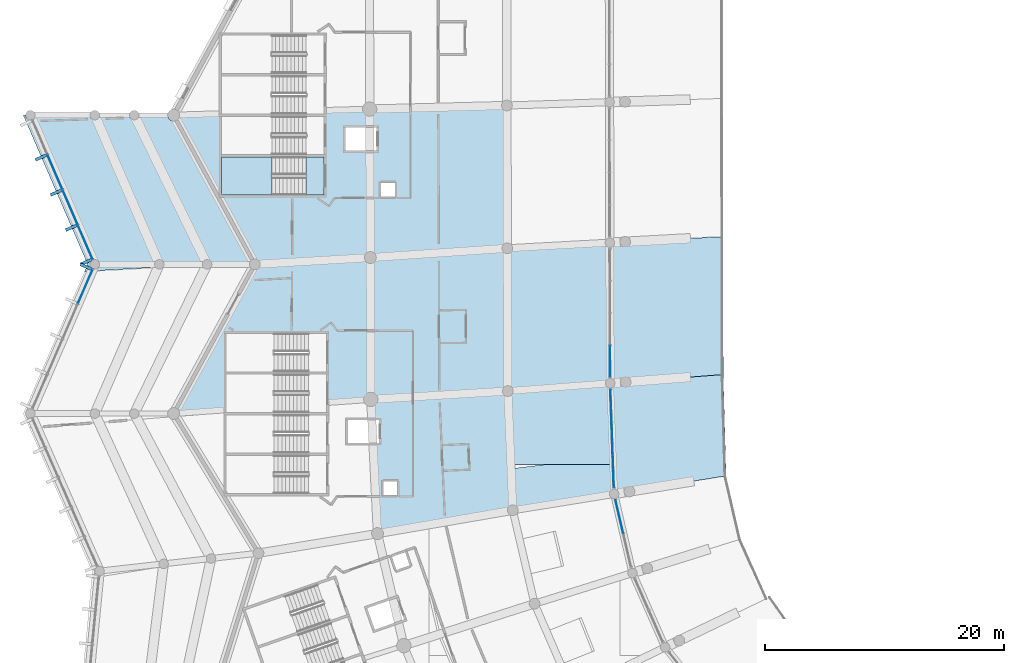
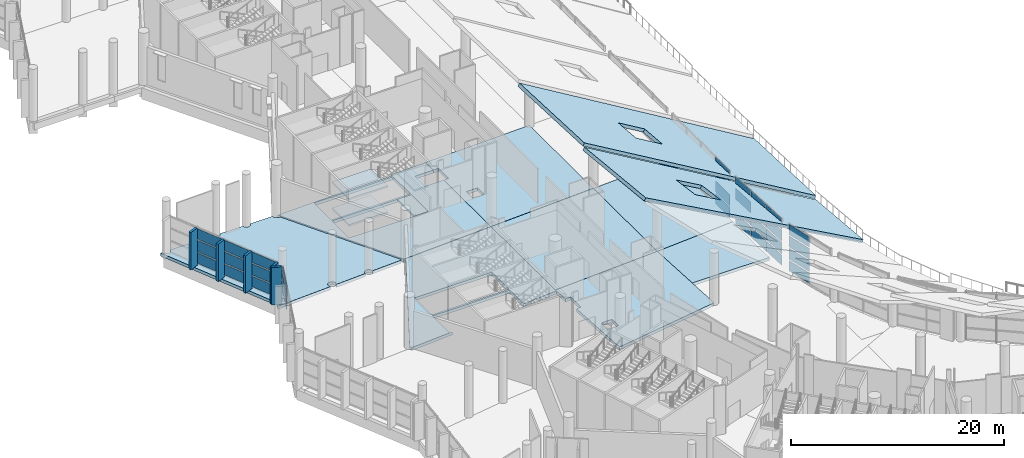
# One storey, part 104 of 249: 36 plates, 14 slabs, 6 elements without a shape of their own.
"""IFC4 building model written with IfcOpenShell, lengths in metres."""

import ifcopenshell
import ifcopenshell.guid

model = None  # the IFC model being written
_history = None  # IfcOwnerHistory: only IFC2X3 demands one
_inside = {}  # id of a spatial element -> (the spatial element, [elements in it])
_under = {}  # id of a project, library or spatial element -> (it, [spatial elements below it])
_declared = {}  # id of a project -> (the project, [libraries it declares])
_typed = {}  # id of a type object -> (the type object, [elements of that type])
_made_of = {}  # id of a material, layer set ... -> (it, [elements and type objects made of it])


def new_model(schema):
    """Start an empty IFC model of exactly this schema.

    Asked for "IFC4X3", IfcOpenShell would pick the latest addendum, in which some entities
    have other attributes; the version numbers below select the first issue.
    IFC2X3 requires an IfcOwnerHistory on every rooted entity: one is made here for all.
    """
    global model, _history
    if schema == "IFC4X3":
        model = ifcopenshell.file(schema_version=(4, 3, 0, 0))
    else:
        model = ifcopenshell.file(schema=schema)
    _inside.clear()
    _under.clear()
    _declared.clear()
    _typed.clear()
    _made_of.clear()
    _history = None
    if model.schema == "IFC2X3":
        org = make("IfcOrganization", Name="unknown")
        user = make(
            "IfcPersonAndOrganization",
            ThePerson=make("IfcPerson", FamilyName="unknown"),
            TheOrganization=org,
        )
        app = make(
            "IfcApplication",
            ApplicationDeveloper=org,
            Version="unknown",
            ApplicationFullName="unknown",
            ApplicationIdentifier="unknown",
        )
        _history = make(
            "IfcOwnerHistory",
            OwningUser=user,
            OwningApplication=app,
            ChangeAction="ADDED",
            CreationDate=0,
        )
    return model


def make(cls, **values):
    """One entity of the class cls with the attributes given. An attribute that is None is left unset."""
    return model.create_entity(
        cls, **{name: value for name, value in values.items() if value is not None}
    )


def rooted(cls, **values):
    """An entity with a GlobalId (a new one), such as an element, a storey or a relation."""
    return make(cls, GlobalId=ifcopenshell.guid.new(), OwnerHistory=_history, **values)


def si_unit(unit_type, name, prefix=None):
    """IfcSIUnit, for example si_unit("LENGTHUNIT", "METRE", prefix="MILLI")."""
    return make("IfcSIUnit", UnitType=unit_type, Prefix=prefix, Name=name)


def assignment(units):
    """IfcUnitAssignment: the units of a project."""
    return None if units is None else make("IfcUnitAssignment", Units=units)


def point(xyz):
    """IfcCartesianPoint."""
    return None if xyz is None else make("IfcCartesianPoint", Coordinates=xyz)


def direction(xyz):
    """IfcDirection."""
    return None if xyz is None else make("IfcDirection", DirectionRatios=xyz)


def frame(location, z_axis=None, x_axis=None):
    """IfcAxis2Placement3D, a coordinate frame: its origin and axes. An axis left out is left unset."""
    return make(
        "IfcAxis2Placement3D",
        Location=point(location),
        Axis=direction(z_axis),
        RefDirection=direction(x_axis),
    )


def frame_2d(location, x_axis=None):
    """IfcAxis2Placement2D, a coordinate frame in the plane: its origin and x axis."""
    return make(
        "IfcAxis2Placement2D", Location=point(location), RefDirection=direction(x_axis)
    )


def origin():
    """The frame at (0, 0, 0) with its axes left unset."""
    return frame((0.0, 0.0, 0.0))


def origin_2d():
    """The frame at (0, 0) in the plane with its x axis left unset."""
    return frame_2d((0.0, 0.0))


def place(relative_to, where):
    """IfcLocalPlacement: puts the frame where relative to a parent placement (None: the world)."""
    return make(
        "IfcLocalPlacement", PlacementRelTo=relative_to, RelativePlacement=where
    )


def context(
    kind, dimensions, precision=None, world=None, true_north=None, identifier=None
):
    """IfcGeometricRepresentationContext, for example the 3D "Model" context."""
    return make(
        "IfcGeometricRepresentationContext",
        ContextIdentifier=identifier,
        ContextType=kind,
        CoordinateSpaceDimension=dimensions,
        Precision=precision,
        WorldCoordinateSystem=world,
        TrueNorth=true_north,
    )


def subcontext(parent, identifier, kind, view, scale=None):
    """IfcGeometricRepresentationSubContext, for example "Body" below "Model"."""
    return make(
        "IfcGeometricRepresentationSubContext",
        ContextIdentifier=identifier,
        ContextType=kind,
        ParentContext=parent,
        TargetScale=scale,
        TargetView=view,
    )


def project(units=None, contexts=None):
    """IfcProject with its units and contexts."""
    return rooted(
        "IfcProject",
        Name="project",
        RepresentationContexts=contexts,
        UnitsInContext=assignment(units),
    )


def spatial(cls, under=None, at=None, **own):
    """A site, building, storey or space (cls), placed at a placement, below another one or the project."""
    s = rooted(cls, ObjectPlacement=at, **own)
    if under is not None:
        _under.setdefault(under.id(), (under, []))[1].append(s)
    return s


def polyline(points):
    """IfcPolyline through the points."""
    return make("IfcPolyline", Points=[point(p) for p in points])


def profile(cls, at=None, kind="AREA", **sizes):
    """A parametric profile (cls). Its sizes go by their IFC names, for example OverallWidth=200.0."""
    return make(cls, ProfileType=kind, Position=at, **sizes)


def rectangle(**sizes):
    """IfcRectangleProfileDef."""
    return profile("IfcRectangleProfileDef", **sizes)


def outline(outer, holes=None, kind="AREA"):
    """IfcArbitraryClosedProfileDef: a profile drawn as a closed curve; with holes, ...WithVoids."""
    if holes is None:
        return make("IfcArbitraryClosedProfileDef", ProfileType=kind, OuterCurve=outer)
    return make(
        "IfcArbitraryProfileDefWithVoids",
        ProfileType=kind,
        OuterCurve=outer,
        InnerCurves=holes,
    )


def extrude(swept, where, along, depth):
    """IfcExtrudedAreaSolid: the profile swept, set in the frame where, extruded along a direction by depth."""
    return make(
        "IfcExtrudedAreaSolid",
        SweptArea=swept,
        Position=where,
        ExtrudedDirection=direction(along),
        Depth=depth,
    )


def shape(context_of_items, identifier, shape_type, items):
    """IfcShapeRepresentation: the items that make up one representation, for example the "Body"."""
    return make(
        "IfcShapeRepresentation",
        ContextOfItems=context_of_items,
        RepresentationIdentifier=identifier,
        RepresentationType=shape_type,
        Items=items,
    )


def material(Name=None, Category=None):
    """IfcMaterial."""
    return make("IfcMaterial", Name=Name, Category=Category)


def layer(
    of_material, thickness, ventilated=None, Name=None, Category=None, Priority=None
):
    """IfcMaterialLayer: one layer of a wall or slab, of a material (None: an air gap)."""
    return make(
        "IfcMaterialLayer",
        Material=of_material,
        LayerThickness=thickness,
        IsVentilated=ventilated,
        Name=Name,
        Category=Category,
        Priority=Priority,
    )


def layer_set(layers, Name=None):
    """IfcMaterialLayerSet."""
    return make("IfcMaterialLayerSet", MaterialLayers=layers, LayerSetName=Name)


def made_of(thing, what):
    """Note that an element or type object is made of a material, layer set ...; save() writes the relation."""
    if what is not None:
        _made_of.setdefault(what.id(), (what, []))[1].append(thing)
    return thing


def type_object(cls, material=None, **own):
    """A type object (cls), such as IfcWallType, which elements share."""
    return made_of(rooted(cls, **own), material)


def element(
    cls,
    number,
    at=None,
    inside=None,
    cuts=None,
    type_object=None,
    material=None,
    context=None,
    identifier="Body",
    shape_type=None,
    held_by="IfcProductDefinitionShape",
    body=None,
    shapes=None,
    **own,
):
    """One element of the class cls, such as IfcWall. Its Tag is "e" and its number.

    at: its placement. inside: the storey or other place that contains it. cuts: it is an
    opening in that element (IfcRelVoidsElement). A single representation is given by context,
    identifier, shape_type and body (its items); several are given by shapes. held_by: the class
    of the entity that holds the representations. save() writes the other relations.
    """
    e = rooted(cls, Tag="e%d" % number, ObjectPlacement=at, **own)
    if body is not None:
        shapes = [shape(context, identifier, shape_type, body)]
    if shapes is not None:
        e.Representation = make(held_by, Representations=shapes)
    if inside is not None:
        _inside.setdefault(inside.id(), (inside, []))[1].append(e)
    if cuts is not None:
        rooted(
            "IfcRelVoidsElement", RelatingBuildingElement=cuts, RelatedOpeningElement=e
        )
    if type_object is not None:
        _typed.setdefault(type_object.id(), (type_object, []))[1].append(e)
    return made_of(e, material)


def aggregate(whole, parts):
    """IfcRelAggregates: a whole, such as a stair, and the parts it consists of."""
    return rooted("IfcRelAggregates", RelatingObject=whole, RelatedObjects=parts)


def save(model, path):
    """Write the relations noted so far, then the file.

    IfcRelAggregates (storeys below a building ...), IfcRelContainedInSpatialStructure (elements
    in a storey), IfcRelDefinesByType, IfcRelAssociatesMaterial and IfcRelDeclares: one each for
    every whole, place, type object, material and project.
    """
    for whole, parts in _under.values():
        aggregate(whole, parts)
    for where, things in _inside.values():
        rooted(
            "IfcRelContainedInSpatialStructure",
            RelatedElements=things,
            RelatingStructure=where,
        )
    for kind, things in _typed.values():
        rooted("IfcRelDefinesByType", RelatedObjects=things, RelatingType=kind)
    for what, things in _made_of.values():
        rooted("IfcRelAssociatesMaterial", RelatedObjects=things, RelatingMaterial=what)
    for by, libraries in _declared.values():
        rooted("IfcRelDeclares", RelatingContext=by, RelatedDefinitions=libraries)
    model.write(path)


model = new_model("IFC4")

# Units and contexts
model_context = context("Model", 3, precision=1e-05, world=origin(), true_north=direction((0.0, 1.0)))
body_context = subcontext(model_context, "Body", "Model", "MODEL_VIEW")
ifc_project = project(units=[si_unit("LENGTHUNIT", "METRE"), si_unit("AREAUNIT", "SQUARE_METRE"), si_unit("VOLUMEUNIT", "CUBIC_METRE"), si_unit("PLANEANGLEUNIT", "RADIAN"), si_unit("MASSUNIT", "GRAM", prefix="KILO")], contexts=[model_context])

# Site, building, storey
site_placement = place(None, origin())
site = spatial("IfcSite", under=ifc_project, at=site_placement, CompositionType="ELEMENT")
building_placement = place(site_placement, origin())
building = spatial("IfcBuilding", under=site, at=building_placement, Name="Meseta Stadium", CompositionType="ELEMENT")
storey_placement = place(building_placement, frame((0.0, 0.0, 12.0)))
storey = spatial("IfcBuildingStorey", under=building, at=storey_placement, Name="L02", CompositionType="ELEMENT", Elevation=12.0)

# Curtain wall, plates
ifc_material_1 = material(Name="Aluminium", Category="aluminium")
ifc_layer_1 = layer(ifc_material_1, 0.199951171875)
ifc_layer_set_1 = layer_set([ifc_layer_1], Name="Suite glazing curtain wall")
curtain_wall_type_1 = type_object("IfcCurtainWallType", Name="Suite glazing curtain wall", PredefinedType="NOTDEFINED", material=ifc_layer_set_1)
curtain_wall_1_placement = place(storey_placement, origin())
curtain_wall_1 = element("IfcCurtainWall", 1, at=curtain_wall_1_placement, inside=storey, type_object=curtain_wall_type_1, Name="Suite glazing bay 35", PredefinedType="NOTDEFINED")
ifc_material_2 = material(Name="Glass", Category="glass")
ifc_layer_2 = layer(ifc_material_2, 0.035888671875)
ifc_layer_set_2 = layer_set([ifc_layer_2], Name="CW glass panel 36")
plate_type_1 = type_object("IfcPlateType", Name="CW glass panel 36", PredefinedType="CURTAIN_PANEL", material=ifc_layer_set_2)
plate_1_placement = place(storey_placement, frame((-64.835205078125, -39.357421875, 0.14990234375), z_axis=(0.0, 0.0, 1.0), x_axis=(0.002910007458, -0.999995765919, 0.0)))
plate_1 = element("IfcPlate", 2, at=plate_1_placement, type_object=plate_type_1, Name="CWS panel 4.1", PredefinedType="CURTAIN_PANEL", context=body_context, shape_type="SweptSolid", body=[
    extrude(rectangle(XDim=2.61279296875, YDim=0.035888671875, at=origin_2d()), origin(), (0.0, 0.0, 1.0), 1.1875),
])
plate_2_placement = place(storey_placement, frame((-64.835205078125, -39.357421875, 1.4873046875), z_axis=(0.0, 0.0, 1.0), x_axis=(0.002910007458, -0.999995765919, 0.0)))
plate_2 = element("IfcPlate", 3, at=plate_2_placement, type_object=plate_type_1, Name="CWS panel 4.2", PredefinedType="CURTAIN_PANEL", context=body_context, shape_type="SweptSolid", body=[
    extrude(rectangle(XDim=2.61279296875, YDim=0.035888671875, at=origin_2d()), origin(), (0.0, 0.0, 1.0), 1.262451171875),
])
plate_3_placement = place(storey_placement, frame((-64.835205078125, -39.357421875, 2.89990234375), z_axis=(0.0, 0.0, 1.0), x_axis=(0.002910007458, -0.999995765919, 0.0)))
plate_3 = element("IfcPlate", 4, at=plate_3_placement, type_object=plate_type_1, Name="CWS panel 4.3", PredefinedType="CURTAIN_PANEL", context=body_context, shape_type="SweptSolid", body=[
    extrude(rectangle(XDim=2.61279296875, YDim=0.035888671875, at=origin_2d()), origin(), (0.0, 0.0, 1.0), 1.262451171875),
])
plate_4_placement = place(storey_placement, frame((-64.835205078125, -39.357421875, 4.3125), z_axis=(0.0, 0.0, 1.0), x_axis=(0.002910007458, -0.999995765919, 0.0)))
plate_4 = element("IfcPlate", 5, at=plate_4_placement, type_object=plate_type_1, Name="CWS panel 4.4", PredefinedType="CURTAIN_PANEL", context=body_context, shape_type="SweptSolid", body=[
    extrude(rectangle(XDim=2.61279296875, YDim=0.035888671875, at=origin_2d()), origin(), (0.0, 0.0, 1.0), 1.1875),
])
aggregate(curtain_wall_1, [plate_1, plate_2, plate_3, plate_4])

curtain_wall_2_placement = place(storey_placement, origin())
curtain_wall_2 = element("IfcCurtainWall", 6, at=curtain_wall_2_placement, inside=storey, type_object=curtain_wall_type_1, Name="Suite glazing bay 36", PredefinedType="NOTDEFINED")
plate_5_placement = place(storey_placement, frame((-64.763427734375, -43.083740234375, 0.14990234375), z_axis=(0.0, 0.0, 1.0), x_axis=(0.035370706156, -0.999374260798, 0.0)))
plate_5 = element("IfcPlate", 7, at=plate_5_placement, type_object=plate_type_1, Name="CWS panel 1.1", PredefinedType="CURTAIN_PANEL", context=body_context, shape_type="SweptSolid", body=[
    extrude(rectangle(XDim=2.68310546875, YDim=0.035888671875, at=origin_2d()), origin(), (0.0, 0.0, 1.0), 1.1875),
])
plate_6_placement = place(storey_placement, frame((-64.763427734375, -43.083740234375, 1.4873046875), z_axis=(0.0, 0.0, 1.0), x_axis=(0.035370706156, -0.999374260798, 0.0)))
plate_6 = element("IfcPlate", 8, at=plate_6_placement, type_object=plate_type_1, Name="CWS panel 1.2", PredefinedType="CURTAIN_PANEL", context=body_context, shape_type="SweptSolid", body=[
    extrude(rectangle(XDim=2.68310546875, YDim=0.035888671875, at=origin_2d()), origin(), (0.0, 0.0, 1.0), 1.262451171875),
])
plate_7_placement = place(storey_placement, frame((-64.763427734375, -43.083740234375, 2.89990234375), z_axis=(0.0, 0.0, 1.0), x_axis=(0.035370706156, -0.999374260798, 0.0)))
plate_7 = element("IfcPlate", 9, at=plate_7_placement, type_object=plate_type_1, Name="CWS panel 1.3", PredefinedType="CURTAIN_PANEL", context=body_context, shape_type="SweptSolid", body=[
    extrude(rectangle(XDim=2.68310546875, YDim=0.035888671875, at=origin_2d()), origin(), (0.0, 0.0, 1.0), 1.262451171875),
])
plate_8_placement = place(storey_placement, frame((-64.763427734375, -43.083740234375, 4.3125), z_axis=(0.0, 0.0, 1.0), x_axis=(0.035370706156, -0.999374260798, 0.0)))
plate_8 = element("IfcPlate", 10, at=plate_8_placement, type_object=plate_type_1, Name="CWS panel 1.4", PredefinedType="CURTAIN_PANEL", context=body_context, shape_type="SweptSolid", body=[
    extrude(rectangle(XDim=2.68310546875, YDim=0.035888671875, at=origin_2d()), origin(), (0.0, 0.0, 1.0), 1.1875),
])
plate_9_placement = place(storey_placement, frame((-64.665771484375, -45.840087890625, 0.14990234375), z_axis=(0.0, 0.0, 1.0), x_axis=(0.035370706156, -0.999374260798, 0.0)))
plate_9 = element("IfcPlate", 11, at=plate_9_placement, type_object=plate_type_1, Name="CWS panel 2.1", PredefinedType="CURTAIN_PANEL", context=body_context, shape_type="SweptSolid", body=[
    extrude(rectangle(XDim=2.713134765625, YDim=0.035888671875, at=origin_2d()), origin(), (0.0, 0.0, 1.0), 1.1875),
])
plate_10_placement = place(storey_placement, frame((-64.665771484375, -45.840087890625, 1.4873046875), z_axis=(0.0, 0.0, 1.0), x_axis=(0.035370706156, -0.999374260798, 0.0)))
plate_10 = element("IfcPlate", 12, at=plate_10_placement, type_object=plate_type_1, Name="CWS panel 2.2", PredefinedType="CURTAIN_PANEL", context=body_context, shape_type="SweptSolid", body=[
    extrude(rectangle(XDim=2.713134765625, YDim=0.035888671875, at=origin_2d()), origin(), (0.0, 0.0, 1.0), 1.262451171875),
])
plate_11_placement = place(storey_placement, frame((-64.665771484375, -45.840087890625, 2.89990234375), z_axis=(0.0, 0.0, 1.0), x_axis=(0.035370706156, -0.999374260798, 0.0)))
plate_11 = element("IfcPlate", 13, at=plate_11_placement, type_object=plate_type_1, Name="CWS panel 2.3", PredefinedType="CURTAIN_PANEL", context=body_context, shape_type="SweptSolid", body=[
    extrude(rectangle(XDim=2.713134765625, YDim=0.035888671875, at=origin_2d()), origin(), (0.0, 0.0, 1.0), 1.262451171875),
])
plate_12_placement = place(storey_placement, frame((-64.665771484375, -45.840087890625, 4.3125), z_axis=(0.0, 0.0, 1.0), x_axis=(0.035370706156, -0.999374260798, 0.0)))
plate_12 = element("IfcPlate", 14, at=plate_12_placement, type_object=plate_type_1, Name="CWS panel 2.4", PredefinedType="CURTAIN_PANEL", context=body_context, shape_type="SweptSolid", body=[
    extrude(rectangle(XDim=2.713134765625, YDim=0.035888671875, at=origin_2d()), origin(), (0.0, 0.0, 1.0), 1.1875),
])
plate_13_placement = place(storey_placement, frame((-64.568359375, -48.5966796875, 0.14990234375), z_axis=(0.0, 0.0, 1.0), x_axis=(0.035370706156, -0.999374260798, 0.0)))
plate_13 = element("IfcPlate", 15, at=plate_13_placement, type_object=plate_type_1, Name="CWS panel 3.1", PredefinedType="CURTAIN_PANEL", context=body_context, shape_type="SweptSolid", body=[
    extrude(rectangle(XDim=2.68310546875, YDim=0.035888671875, at=origin_2d()), origin(), (0.0, 0.0, 1.0), 1.1875),
])
plate_14_placement = place(storey_placement, frame((-64.568359375, -48.5966796875, 1.4873046875), z_axis=(0.0, 0.0, 1.0), x_axis=(0.035370706156, -0.999374260798, 0.0)))
plate_14 = element("IfcPlate", 16, at=plate_14_placement, type_object=plate_type_1, Name="CWS panel 3.2", PredefinedType="CURTAIN_PANEL", context=body_context, shape_type="SweptSolid", body=[
    extrude(rectangle(XDim=2.68310546875, YDim=0.035888671875, at=origin_2d()), origin(), (0.0, 0.0, 1.0), 1.262451171875),
])
plate_15_placement = place(storey_placement, frame((-64.568359375, -48.5966796875, 2.89990234375), z_axis=(0.0, 0.0, 1.0), x_axis=(0.035370706156, -0.999374260798, 0.0)))
plate_15 = element("IfcPlate", 17, at=plate_15_placement, type_object=plate_type_1, Name="CWS panel 3.3", PredefinedType="CURTAIN_PANEL", context=body_context, shape_type="SweptSolid", body=[
    extrude(rectangle(XDim=2.68310546875, YDim=0.035888671875, at=origin_2d()), origin(), (0.0, 0.0, 1.0), 1.262451171875),
])
plate_16_placement = place(storey_placement, frame((-64.568359375, -48.5966796875, 4.3125), z_axis=(0.0, 0.0, 1.0), x_axis=(0.035370706156, -0.999374260798, 0.0)))
plate_16 = element("IfcPlate", 18, at=plate_16_placement, type_object=plate_type_1, Name="CWS panel 3.4", PredefinedType="CURTAIN_PANEL", context=body_context, shape_type="SweptSolid", body=[
    extrude(rectangle(XDim=2.68310546875, YDim=0.035888671875, at=origin_2d()), origin(), (0.0, 0.0, 1.0), 1.1875),
])
aggregate(curtain_wall_2, [plate_5, plate_6, plate_7, plate_8, plate_9, plate_10, plate_11, plate_12, plate_13, plate_14, plate_15, plate_16])

curtain_wall_3_placement = place(storey_placement, origin())
curtain_wall_3 = element("IfcCurtainWall", 19, at=curtain_wall_3_placement, inside=storey, type_object=curtain_wall_type_1, Name="Suite glazing bay 37", PredefinedType="NOTDEFINED")
plate_17_placement = place(storey_placement, frame((-64.0595703125, -52.38427734375, 0.14990234375), z_axis=(0.0, 0.0, 1.0), x_axis=(0.226148413492, -0.974092857522, 0.0)))
plate_17 = element("IfcPlate", 20, at=plate_17_placement, type_object=plate_type_1, Name="CWS panel 1.1", PredefinedType="CURTAIN_PANEL", context=body_context, shape_type="SweptSolid", body=[
    extrude(rectangle(XDim=2.830322265625, YDim=0.035888671875, at=origin_2d()), origin(), (0.0, 0.0, 1.0), 1.1875),
])
plate_18_placement = place(storey_placement, frame((-64.0595703125, -52.38427734375, 1.4873046875), z_axis=(0.0, 0.0, 1.0), x_axis=(0.226148413492, -0.974092857522, 0.0)))
plate_18 = element("IfcPlate", 21, at=plate_18_placement, type_object=plate_type_1, Name="CWS panel 1.2", PredefinedType="CURTAIN_PANEL", context=body_context, shape_type="SweptSolid", body=[
    extrude(rectangle(XDim=2.830322265625, YDim=0.035888671875, at=origin_2d()), origin(), (0.0, 0.0, 1.0), 1.262451171875),
])
plate_19_placement = place(storey_placement, frame((-64.0595703125, -52.38427734375, 2.89990234375), z_axis=(0.0, 0.0, 1.0), x_axis=(0.226148413492, -0.974092857522, 0.0)))
plate_19 = element("IfcPlate", 22, at=plate_19_placement, type_object=plate_type_1, Name="CWS panel 1.3", PredefinedType="CURTAIN_PANEL", context=body_context, shape_type="SweptSolid", body=[
    extrude(rectangle(XDim=2.830322265625, YDim=0.035888671875, at=origin_2d()), origin(), (0.0, 0.0, 1.0), 1.262451171875),
])
plate_20_placement = place(storey_placement, frame((-64.0595703125, -52.38427734375, 4.3125), z_axis=(0.0, 0.0, 1.0), x_axis=(0.226148413492, -0.974092857522, 0.0)))
plate_20 = element("IfcPlate", 23, at=plate_20_placement, type_object=plate_type_1, Name="CWS panel 1.4", PredefinedType="CURTAIN_PANEL", context=body_context, shape_type="SweptSolid", body=[
    extrude(rectangle(XDim=2.830322265625, YDim=0.035888671875, at=origin_2d()), origin(), (0.0, 0.0, 1.0), 1.1875),
])
aggregate(curtain_wall_3, [plate_17, plate_18, plate_19, plate_20])

# Slabs
ifc_material_3 = material(Name="Concrete C40/50", Category="concrete")
ifc_layer_3 = layer(ifc_material_3, 0.35009765625)
ifc_layer_set_3 = layer_set([ifc_layer_3], Name="Floor slab 350")
slab_type_1 = type_object("IfcSlabType", Name="Floor slab 350", PredefinedType="FLOOR", material=ifc_layer_set_3)
slab_1_placement = place(storey_placement, frame((0.0, 0.0, -0.35009765625)))
element("IfcSlab", 24, at=slab_1_placement, inside=storey, type_object=slab_type_1, Name="Floor slab L02 sector 28 panel 02", PredefinedType="FLOOR", context=body_context, shape_type="SweptSolid", body=[
    extrude(outline(polyline([(-101.340087890625, -18.85986328125), (-94.70361328125, -31.059326171875), (-84.926025390625, -30.523193359375), (-84.9638671875, -21.699951171875), (-87.0, -21.699951171875), (-87.0, -19.800048828125), (-84.971923828125, -19.800048828125), (-84.978271484375, -18.32177734375), (-88.800048828125, -18.447509765625), (-88.800048828125, -18.64990234375), (-94.9599609375, -18.64990234375), (-101.340087890625, -18.85986328125)]), holes=[polyline([(-97.39990234375, -22.25), (-88.800048828125, -22.25), (-88.800048828125, -25.449951171875), (-97.39990234375, -25.449951171875), (-97.39990234375, -22.25)]), polyline([(-97.39990234375, -18.85009765625), (-88.800048828125, -18.85009765625), (-88.800048828125, -22.050048828125), (-97.39990234375, -22.050048828125), (-97.39990234375, -18.85009765625)])]), origin(), (0.0, 0.0, 1.0), 0.35009765625),
])
slab_2_placement = place(storey_placement, frame((0.0, 0.0, -0.35009765625)))
element("IfcSlab", 25, at=slab_2_placement, inside=storey, type_object=slab_type_1, Name="Floor slab L02 sector 28 panel 13", PredefinedType="FLOOR", context=body_context, shape_type="SweptSolid", body=[
    extrude(outline(polyline([(-84.9638671875, -21.699951171875), (-84.926025390625, -30.523193359375), (-73.451416015625, -29.89404296875), (-73.482421875, -17.943603515625), (-84.978271484375, -18.32177734375), (-84.971923828125, -19.800048828125), (-84.39990234375, -19.800048828125), (-84.39990234375, -21.699951171875), (-84.9638671875, -21.699951171875)]), holes=[polyline([(-82.85009765625, -24.39990234375), (-82.85009765625, -25.60009765625), (-84.050048828125, -25.60009765625), (-84.050048828125, -24.39990234375), (-82.85009765625, -24.39990234375)])]), origin(), (0.0, 0.0, 1.0), 0.35009765625),
])
slab_3_placement = place(storey_placement, frame((0.0, 0.0, -0.35009765625)))
element("IfcSlab", 26, at=slab_3_placement, inside=storey, type_object=slab_type_1, Name="Floor slab L02 sector 35 panel 01", PredefinedType="FLOOR", context=body_context, shape_type="SweptSolid", body=[
    extrude(outline(polyline([(-94.60009765625, -31.25), (-101.39990234375, -43.75), (-101.24853515625, -43.999267578125), (-96.697021484375, -43.64990234375), (-97.0, -43.64990234375), (-97.0, -40.449951171875), (-88.60009765625, -40.449951171875), (-88.60009765625, -43.028564453125), (-84.875, -42.74267578125), (-84.884033203125, -42.5615234375), (-84.92578125, -30.543212890625), (-94.693115234375, -31.07861328125), (-94.60009765625, -31.25)]), holes=[polyline([(-97.0, -40.25), (-97.0, -37.050048828125), (-88.60009765625, -37.050048828125), (-88.60009765625, -40.25), (-97.0, -40.25)])]), origin(), (0.0, 0.0, 1.0), 0.35009765625),
])
slab_4_placement = place(storey_placement, frame((0.0, 0.0, -0.35009765625)))
element("IfcSlab", 27, at=slab_4_placement, inside=storey, type_object=slab_type_1, Name="Floor slab L02 sector 35 panel 06", PredefinedType="FLOOR", context=body_context, shape_type="SweptSolid", body=[
    extrude(outline(polyline([(-73.40478515625, -41.8623046875), (-73.451416015625, -29.914306640625), (-84.92578125, -30.543212890625), (-84.884033203125, -42.5615234375), (-73.40478515625, -41.8623046875)])), origin(), (0.0, 0.0, 1.0), 0.35009765625),
])
slab_5_placement = place(storey_placement, frame((0.0, 0.0, -0.35009765625)))
element("IfcSlab", 28, at=slab_5_placement, inside=storey, type_object=slab_type_1, Name="Floor slab L02 sector 35 panel 07", PredefinedType="FLOOR", context=body_context, shape_type="SweptSolid", body=[
    extrude(outline(polyline([(-72.9921875, -51.84716796875), (-73.40478515625, -41.8623046875), (-84.884033203125, -42.5615234375), (-84.797607421875, -44.300048828125), (-84.199951171875, -44.300048828125), (-84.199951171875, -46.199951171875), (-84.703125, -46.199951171875), (-84.33154296875, -53.67333984375), (-72.9921875, -51.84716796875)]), holes=[polyline([(-82.64990234375, -50.60009765625), (-83.85009765625, -50.60009765625), (-83.85009765625, -49.39990234375), (-82.64990234375, -49.39990234375), (-82.64990234375, -50.60009765625)])]), origin(), (0.0, 0.0, 1.0), 0.35009765625),
])
slab_6_placement = place(storey_placement, frame((0.0, 0.0, -0.35009765625)))
element("IfcSlab", 29, at=slab_6_placement, inside=storey, type_object=slab_type_1, Name="Floor slab L02 sector 35 panel 12", PredefinedType="FLOOR", context=body_context, shape_type="SweptSolid", body=[
    extrude(outline(polyline([(-73.451416015625, -29.914306640625), (-73.40478515625, -41.8623046875), (-64.829833984375, -41.2041015625), (-64.857666015625, -32.0), (-64.8642578125, -29.443359375), (-73.451416015625, -29.914306640625)])), origin(), (0.0, 0.0, 1.0), 0.35009765625),
])
slab_7_placement = place(storey_placement, frame((0.0, 0.0, -0.35009765625)))
element("IfcSlab", 30, at=slab_7_placement, inside=storey, type_object=slab_type_1, Name="Floor slab L02 sector 35 panel 13", PredefinedType="FLOOR", context=body_context, shape_type="SweptSolid", body=[
    extrude(outline(polyline([(-64.80859375, -47.08837890625), (-64.829833984375, -41.2041015625), (-73.40478515625, -41.8623046875), (-73.151123046875, -48.0), (-64.754150390625, -48.0), (-64.80859375, -47.08837890625)])), origin(), (0.0, 0.0, 1.0), 0.35009765625),
])
slab_8_placement = place(storey_placement, frame((0.0, 0.0, -0.35009765625)))
element("IfcSlab", 31, at=slab_8_placement, inside=storey, type_object=slab_type_1, Name="Ring floor slab L02 5 part 1", PredefinedType="FLOOR", context=body_context, shape_type="SweptSolid", body=[
    extrude(outline(polyline([(-101.88720703125, -18.880615234375), (-101.898681640625, -18.79150390625), (-104.302001953125, -18.79150390625), (-104.310302734375, -18.8544921875), (-104.3505859375, -18.95166015625), (-104.414794921875, -19.035400390625), (-104.498291015625, -19.099365234375), (-104.595703125, -19.1396484375), (-104.699951171875, -19.153564453125), (-104.804443359375, -19.1396484375), (-104.901611328125, -19.099365234375), (-104.9853515625, -19.035400390625), (-105.04931640625, -18.95166015625), (-105.089599609375, -18.8544921875), (-105.097900390625, -18.79150390625), (-107.60205078125, -18.79150390625), (-107.6103515625, -18.8544921875), (-107.650634765625, -18.95166015625), (-107.714599609375, -19.035400390625), (-107.79833984375, -19.099365234375), (-107.8955078125, -19.1396484375), (-108.0, -19.153564453125), (-108.1044921875, -19.1396484375), (-108.20166015625, -19.099365234375), (-108.285400390625, -19.035400390625), (-108.349365234375, -18.95166015625), (-108.3896484375, -18.8544921875), (-108.39794921875, -18.79150390625), (-109.593994140625, -18.79150390625), (-109.60009765625, -18.75), (-112.99658203125, -18.75), (-113.01025390625, -18.8544921875), (-113.050537109375, -18.95166015625), (-113.11474609375, -19.035400390625), (-113.1982421875, -19.099365234375), (-113.295654296875, -19.1396484375), (-113.39990234375, -19.153564453125), (-113.50439453125, -19.1396484375), (-113.601806640625, -19.099365234375), (-113.685302734375, -19.035400390625), (-113.74951171875, -18.95166015625), (-113.789794921875, -18.8544921875), (-113.803466796875, -18.75), (-114.0, -18.75), (-108.60009765625, -31.25), (-108.852783203125, -31.8349609375), (-102.905517578125, -31.5087890625), (-102.949462890625, -31.45166015625), (-102.98974609375, -31.3544921875), (-103.00341796875, -31.25), (-102.98974609375, -31.1455078125), (-102.949462890625, -31.04833984375), (-102.88525390625, -30.964599609375), (-102.8017578125, -30.900634765625), (-102.704345703125, -30.8603515625), (-102.60009765625, -30.846435546875), (-102.49560546875, -30.8603515625), (-102.398193359375, -30.900634765625), (-102.314697265625, -30.964599609375), (-102.25048828125, -31.04833984375), (-102.210205078125, -31.1455078125), (-102.196533203125, -31.25), (-102.210205078125, -31.3544921875), (-102.25048828125, -31.45166015625), (-102.267578125, -31.47412109375), (-98.99755859375, -31.294677734375), (-99.00341796875, -31.25), (-98.98974609375, -31.1455078125), (-98.949462890625, -31.04833984375), (-98.88525390625, -30.964599609375), (-98.8017578125, -30.900634765625), (-98.704345703125, -30.8603515625), (-98.60009765625, -30.846435546875), (-98.49560546875, -30.8603515625), (-98.398193359375, -30.900634765625), (-98.314697265625, -30.964599609375), (-98.25048828125, -31.04833984375), (-98.210205078125, -31.1455078125), (-98.196533203125, -31.25), (-98.196533203125, -31.250732421875), (-95.01513671875, -31.076416015625), (-94.9931640625, -31.023193359375), (-94.935302734375, -30.94775390625), (-101.30322265625, -19.24169921875), (-101.39990234375, -19.25439453125), (-101.530517578125, -19.237060546875), (-101.652099609375, -19.186767578125), (-101.756591796875, -19.106689453125), (-101.836669921875, -19.002197265625), (-101.88720703125, -18.880615234375)]), holes=[polyline([(-108.0, -31.653564453125), (-108.1044921875, -31.6396484375), (-108.20166015625, -31.599365234375), (-108.285400390625, -31.535400390625), (-108.349365234375, -31.45166015625), (-108.3896484375, -31.3544921875), (-108.403564453125, -31.25), (-108.3896484375, -31.1455078125), (-108.349365234375, -31.04833984375), (-108.285400390625, -30.964599609375), (-108.20166015625, -30.900634765625), (-108.1044921875, -30.8603515625), (-108.0, -30.846435546875), (-107.8955078125, -30.8603515625), (-107.79833984375, -30.900634765625), (-107.714599609375, -30.964599609375), (-107.650634765625, -31.04833984375), (-107.6103515625, -31.1455078125), (-107.596435546875, -31.25), (-107.6103515625, -31.3544921875), (-107.650634765625, -31.45166015625), (-107.714599609375, -31.535400390625), (-107.79833984375, -31.599365234375), (-107.8955078125, -31.6396484375), (-108.0, -31.653564453125)])]), origin(), (0.0, 0.0, 1.0), 0.35009765625),
])

# Curtain wall, plates
ifc_material_4 = material(Name="Aluminium", Category="aluminium")
ifc_layer_4 = layer(ifc_material_4, 0.199951171875)
ifc_layer_set_4 = layer_set([ifc_layer_4], Name="Ring shopfront curtain wall")
curtain_wall_type_2 = type_object("IfcCurtainWallType", Name="Ring shopfront curtain wall", PredefinedType="NOTDEFINED", material=ifc_layer_set_4)
curtain_wall_4_placement = place(storey_placement, origin())
curtain_wall_4 = element("IfcCurtainWall", 32, at=curtain_wall_4_placement, inside=storey, type_object=curtain_wall_type_2, Name="Ring glazing L02 F34", PredefinedType="NOTDEFINED")
ifc_material_5 = material(Name="Glass", Category="glass")
ifc_layer_5 = layer(ifc_material_5, 0.035888671875)
ifc_layer_set_5 = layer_set([ifc_layer_5], Name="Ring CW glass panel 36")
plate_type_2 = type_object("IfcPlateType", Name="Ring CW glass panel 36", PredefinedType="CURTAIN_PANEL", material=ifc_layer_set_5)
plate_21_placement = place(storey_placement, frame((-111.33544921875, -23.529296875, 0.14990234375), z_axis=(0.0, 0.0, 1.0), x_axis=(0.396580687073, -0.91799986854, 0.0)))
plate_21 = element("IfcPlate", 33, at=plate_21_placement, type_object=plate_type_2, Name="CWR1 panel 2.1", PredefinedType="CURTAIN_PANEL", context=body_context, shape_type="SweptSolid", body=[
    extrude(rectangle(XDim=3.14404296875, YDim=0.035888671875, at=origin_2d()), origin(), (0.0, 0.0, 1.0), 1.208251953125),
])
plate_22_placement = place(storey_placement, frame((-111.33544921875, -23.529296875, 1.50830078125), z_axis=(0.0, 0.0, 1.0), x_axis=(0.396580687073, -0.91799986854, 0.0)))
plate_22 = element("IfcPlate", 34, at=plate_22_placement, type_object=plate_type_2, Name="CWR1 panel 2.2", PredefinedType="CURTAIN_PANEL", context=body_context, shape_type="SweptSolid", body=[
    extrude(rectangle(XDim=3.14404296875, YDim=0.035888671875, at=origin_2d()), origin(), (0.0, 0.0, 1.0), 1.283447265625),
])
plate_23_placement = place(storey_placement, frame((-111.33544921875, -23.529296875, 2.94189453125), z_axis=(0.0, 0.0, 1.0), x_axis=(0.396580687073, -0.91799986854, 0.0)))
plate_23 = element("IfcPlate", 35, at=plate_23_placement, type_object=plate_type_2, Name="CWR1 panel 2.3", PredefinedType="CURTAIN_PANEL", context=body_context, shape_type="SweptSolid", body=[
    extrude(rectangle(XDim=3.14404296875, YDim=0.035888671875, at=origin_2d()), origin(), (0.0, 0.0, 1.0), 1.208251953125),
])
plate_24_placement = place(storey_placement, frame((-110.064697265625, -26.470703125, 0.14990234375), z_axis=(0.0, 0.0, 1.0), x_axis=(0.396580687073, -0.91799986854, 0.0)))
plate_24 = element("IfcPlate", 36, at=plate_24_placement, type_object=plate_type_2, Name="CWR1 panel 3.1", PredefinedType="CURTAIN_PANEL", context=body_context, shape_type="SweptSolid", body=[
    extrude(rectangle(XDim=3.14404296875, YDim=0.035888671875, at=origin_2d()), origin(), (0.0, 0.0, 1.0), 1.208251953125),
])
plate_25_placement = place(storey_placement, frame((-110.064697265625, -26.470703125, 1.50830078125), z_axis=(0.0, 0.0, 1.0), x_axis=(0.396580687073, -0.91799986854, 0.0)))
plate_25 = element("IfcPlate", 37, at=plate_25_placement, type_object=plate_type_2, Name="CWR1 panel 3.2", PredefinedType="CURTAIN_PANEL", context=body_context, shape_type="SweptSolid", body=[
    extrude(rectangle(XDim=3.14404296875, YDim=0.035888671875, at=origin_2d()), origin(), (0.0, 0.0, 1.0), 1.283447265625),
])
plate_26_placement = place(storey_placement, frame((-110.064697265625, -26.470703125, 2.94189453125), z_axis=(0.0, 0.0, 1.0), x_axis=(0.396580687073, -0.91799986854, 0.0)))
plate_26 = element("IfcPlate", 38, at=plate_26_placement, type_object=plate_type_2, Name="CWR1 panel 3.3", PredefinedType="CURTAIN_PANEL", context=body_context, shape_type="SweptSolid", body=[
    extrude(rectangle(XDim=3.14404296875, YDim=0.035888671875, at=origin_2d()), origin(), (0.0, 0.0, 1.0), 1.208251953125),
])
plate_27_placement = place(storey_placement, frame((-108.7998046875, -29.3984375, 0.14990234375), z_axis=(0.0, 0.0, 1.0), x_axis=(0.396580687073, -0.91799986854, 0.0)))
plate_27 = element("IfcPlate", 39, at=plate_27_placement, type_object=plate_type_2, Name="CWR1 panel 4.1", PredefinedType="CURTAIN_PANEL", context=body_context, shape_type="SweptSolid", body=[
    extrude(rectangle(XDim=3.1142578125, YDim=0.035888671875, at=origin_2d()), origin(), (0.0, 0.0, 1.0), 1.208251953125),
])
plate_28_placement = place(storey_placement, frame((-108.7998046875, -29.3984375, 1.50830078125), z_axis=(0.0, 0.0, 1.0), x_axis=(0.396580687073, -0.91799986854, 0.0)))
plate_28 = element("IfcPlate", 40, at=plate_28_placement, type_object=plate_type_2, Name="CWR1 panel 4.2", PredefinedType="CURTAIN_PANEL", context=body_context, shape_type="SweptSolid", body=[
    extrude(rectangle(XDim=3.1142578125, YDim=0.035888671875, at=origin_2d()), origin(), (0.0, 0.0, 1.0), 1.283447265625),
])
plate_29_placement = place(storey_placement, frame((-108.7998046875, -29.3984375, 2.94189453125), z_axis=(0.0, 0.0, 1.0), x_axis=(0.396580687073, -0.91799986854, 0.0)))
plate_29 = element("IfcPlate", 41, at=plate_29_placement, type_object=plate_type_2, Name="CWR1 panel 4.3", PredefinedType="CURTAIN_PANEL", context=body_context, shape_type="SweptSolid", body=[
    extrude(rectangle(XDim=3.1142578125, YDim=0.035888671875, at=origin_2d()), origin(), (0.0, 0.0, 1.0), 1.208251953125),
])
aggregate(curtain_wall_4, [plate_21, plate_22, plate_23, plate_24, plate_25, plate_26, plate_27, plate_28, plate_29])

curtain_wall_5_placement = place(storey_placement, origin())
curtain_wall_5 = element("IfcCurtainWall", 42, at=curtain_wall_5_placement, inside=storey, type_object=curtain_wall_type_2, Name="Ring glazing L02 F35", PredefinedType="NOTDEFINED")
plate_30_placement = place(storey_placement, frame((-108.7998046875, -33.1015625, 1.50830078125), z_axis=(0.0, 0.0, 1.0), x_axis=(-0.396580687073, -0.91799986854, 0.0)))
plate_30 = element("IfcPlate", 43, at=plate_30_placement, type_object=plate_type_2, Name="CWR1 panel 1.2", PredefinedType="CURTAIN_PANEL", context=body_context, shape_type="SweptSolid", body=[
    extrude(rectangle(XDim=3.1142578125, YDim=0.035888671875, at=origin_2d()), origin(), (0.0, 0.0, 1.0), 1.283447265625),
])
plate_31_placement = place(storey_placement, frame((-108.7998046875, -33.1015625, 2.94189453125), z_axis=(0.0, 0.0, 1.0), x_axis=(-0.396580687073, -0.91799986854, 0.0)))
plate_31 = element("IfcPlate", 44, at=plate_31_placement, type_object=plate_type_2, Name="CWR1 panel 1.3", PredefinedType="CURTAIN_PANEL", context=body_context, shape_type="SweptSolid", body=[
    extrude(rectangle(XDim=3.1142578125, YDim=0.035888671875, at=origin_2d()), origin(), (0.0, 0.0, 1.0), 1.208251953125),
])
aggregate(curtain_wall_5, [plate_30, plate_31])

# Plates
ifc_material_6 = material(Name="Precast concrete C40/50", Category="concrete")
ifc_layer_6 = layer(ifc_material_6, 0.25)
ifc_layer_set_6 = layer_set([ifc_layer_6], Name="Ring brise-soleil fin 250x1000")
plate_type_3 = type_object("IfcPlateType", Name="Ring brise-soleil fin 250x1000", PredefinedType="USERDEFINED", material=ifc_layer_set_6)
for number, where, z_axis, x_axis, name in (
    (45, (-112.521484375, -22.29638671875, 0.0), (0.0, 0.0, 1.0), (0.396575976693, -0.918001903435, 0.0), "Brise-soleil fin L02 F34.2"),
    (46, (-111.250732421875, -25.23779296875, 0.0), (0.0, 0.0, 1.0), (0.396575976693, -0.918001903435, 0.0), "Brise-soleil fin L02 F34.3"),
    (47, (-109.97998046875, -28.17919921875, 0.0), (0.0, 0.0, 1.0), (0.396575976693, -0.918001903435, 0.0), "Brise-soleil fin L02 F34.4"),
    (48, (-108.7392578125, -31.052001953125, 0.0), (0.0, 0.0, 1.0), (0.396575976693, -0.918001903435, 0.0), "Brise-soleil fin L02 F34.5"),
    (49, (-108.7392578125, -31.447998046875, 0.0), (0.0, 0.0, 1.0), (-0.396575976693, -0.918001903435, 0.0), "Brise-soleil fin L02 F35.1"),
):
    element("IfcPlate", number, at=place(storey_placement, frame(where, z_axis=z_axis, x_axis=x_axis)), inside=storey, type_object=plate_type_3, Name=name, ObjectType="FIN", PredefinedType="USERDEFINED", context=body_context, shape_type="SweptSolid", body=[
        extrude(rectangle(XDim=0.25, YDim=1.0, at=origin_2d()), origin(), (0.0, 0.0, 1.0), 4.300048828125),
    ])

# Slabs
ifc_material_7 = material(Name="Concrete C40/50", Category="concrete")
ifc_layer_7 = layer(ifc_material_7, 0.35009765625)
ifc_layer_set_7 = layer_set([ifc_layer_7], Name="Seating tier 350")
slab_type_2 = type_object("IfcSlabType", Name="Seating tier 350", PredefinedType="USERDEFINED", material=ifc_layer_set_7)
slab_9_placement = place(storey_placement, frame((-55.37841796875, -28.92333984375, -1.23046875), z_axis=(0.528857222007, 0.034787798784, 0.847997551758), x_axis=(-0.846740392345, -0.046418111648, 0.529977421106)))
element("IfcSlab", 50, at=slab_9_placement, inside=storey, type_object=slab_type_2, Name="Stand upper tier bay 36", ObjectType="SEATING TIER", PredefinedType="USERDEFINED", context=body_context, shape_type="SweptSolid", body=[
    extrude(outline(polyline([(0.0, 0.0), (31.13156166100626, 6.938893903907228e-17), (31.889571470909818, 12.114119081961363), (0.7633525076015826, 11.53770507737419), (0.0, 0.0)]), holes=[polyline([(17.964111328125, 4.4267578125), (21.501953125, 4.45947265625), (21.47412109375, 7.459228515625), (17.9365234375, 7.426513671875), (17.964111328125, 4.4267578125)])]), origin(), (0.0, 0.0, -1.0), 0.35009765625),
])
slab_10_placement = place(storey_placement, frame((-55.35791015625, -40.47705078125, -1.239990234375), z_axis=(0.526300387385, 0.062533617813, 0.847996137304), x_axis=(-0.84571559797, -0.064908913268, 0.52967155892)))
element("IfcSlab", 51, at=slab_10_placement, inside=storey, type_object=slab_type_2, Name="Stand upper tier bay 37", ObjectType="SEATING TIER", PredefinedType="USERDEFINED", context=body_context, shape_type="SweptSolid", body=[
    extrude(outline(polyline([(0.0, 0.0), (31.124441381759983, 5.551115123125783e-17), (31.65379323962001, 10.678791762058133), (0.6064101776106965, 8.487360415016989), (0.0, 0.0)]), holes=[polyline([(18.136474609375, 3.371337890625), (21.671875, 3.49609375), (21.56591796875, 6.49462890625), (18.0302734375, 6.36962890625), (18.136474609375, 3.371337890625)])]), origin(), (0.0, 0.0, -1.0), 0.35009765625),
])

# Stair, slabs
ifc_material_8 = material(Name="Concrete C40/50", Category="concrete")
stair_type = type_object("IfcStairType", Name="Exit stair 4 flights 150 mm risers", PredefinedType="HALF_TURN_STAIR", material=ifc_material_8)
stair_placement = place(storey_placement, origin())
stair = element("IfcStair", 52, at=stair_placement, inside=storey, type_object=stair_type, Name="ST72 L02", PredefinedType="HALF_TURN_STAIR")
ifc_material_9 = material(Name="Concrete C40/50", Category="concrete")
ifc_layer_8 = layer(ifc_material_9, 0.199951171875)
ifc_layer_set_8 = layer_set([ifc_layer_8], Name="Stair landing 200")
slab_type_3 = type_object("IfcSlabType", Name="Stair landing 200", PredefinedType="LANDING", material=ifc_layer_set_8)
slab_11_placement = place(storey_placement, frame((0.0, 0.0, 1.300048828125)))
slab_11 = element("IfcSlab", 53, at=slab_11_placement, type_object=slab_type_3, Name="ST72 L02 landing 1", PredefinedType="LANDING", context=body_context, shape_type="SweptSolid", body=[
    extrude(outline(polyline([(-93.169921875, -22.25), (-97.39990234375, -22.25), (-97.39990234375, -25.449951171875), (-93.169921875, -25.449951171875), (-93.169921875, -22.25)])), origin(), (0.0, 0.0, 1.0), 0.199951171875),
])
slab_12_placement = place(storey_placement, frame((0.0, 0.0, 2.800048828125)))
slab_12 = element("IfcSlab", 54, at=slab_12_placement, type_object=slab_type_3, Name="ST72 L02 landing 2", PredefinedType="LANDING", context=body_context, shape_type="SweptSolid", body=[
    extrude(outline(polyline([(-88.800048828125, -22.25), (-90.31005859375, -22.25), (-90.31005859375, -25.449951171875), (-88.800048828125, -25.449951171875), (-88.800048828125, -22.25)])), origin(), (0.0, 0.0, 1.0), 0.199951171875),
])
slab_13_placement = place(storey_placement, frame((0.0, 0.0, 4.300048828125)))
slab_13 = element("IfcSlab", 55, at=slab_13_placement, type_object=slab_type_3, Name="ST72 L02 landing 3", PredefinedType="LANDING", context=body_context, shape_type="SweptSolid", body=[
    extrude(outline(polyline([(-93.169921875, -22.25), (-97.39990234375, -22.25), (-97.39990234375, -25.449951171875), (-93.169921875, -25.449951171875), (-93.169921875, -22.25)])), origin(), (0.0, 0.0, 1.0), 0.199951171875),
])
slab_14_placement = place(storey_placement, frame((0.0, 0.0, -0.199951171875)))
slab_14 = element("IfcSlab", 56, at=slab_14_placement, type_object=slab_type_3, Name="ST72 L02 landing 4", PredefinedType="LANDING", context=body_context, shape_type="SweptSolid", body=[
    extrude(outline(polyline([(-88.800048828125, -22.25), (-90.31005859375, -22.25), (-90.31005859375, -25.449951171875), (-88.800048828125, -25.449951171875), (-88.800048828125, -22.25)])), origin(), (0.0, 0.0, 1.0), 0.199951171875),
])
aggregate(stair, [slab_11, slab_12, slab_13, slab_14])

save(model, "model.ifc")
